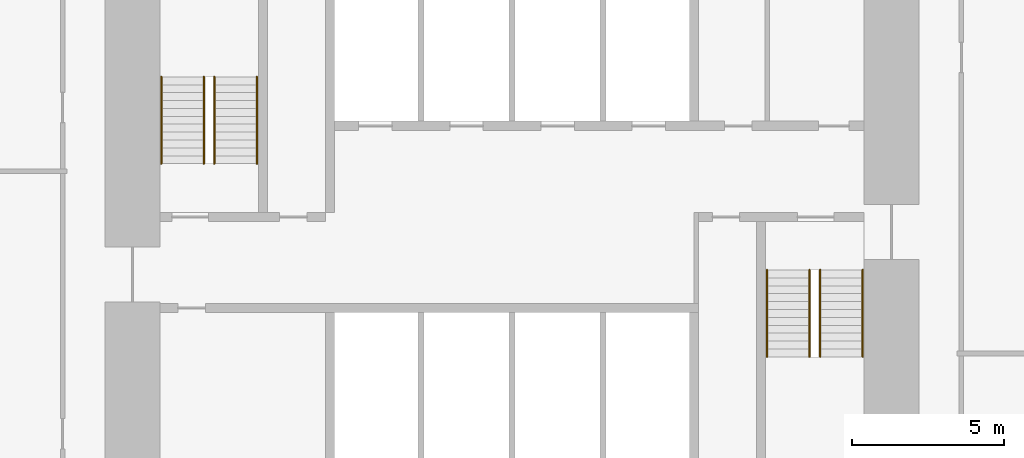
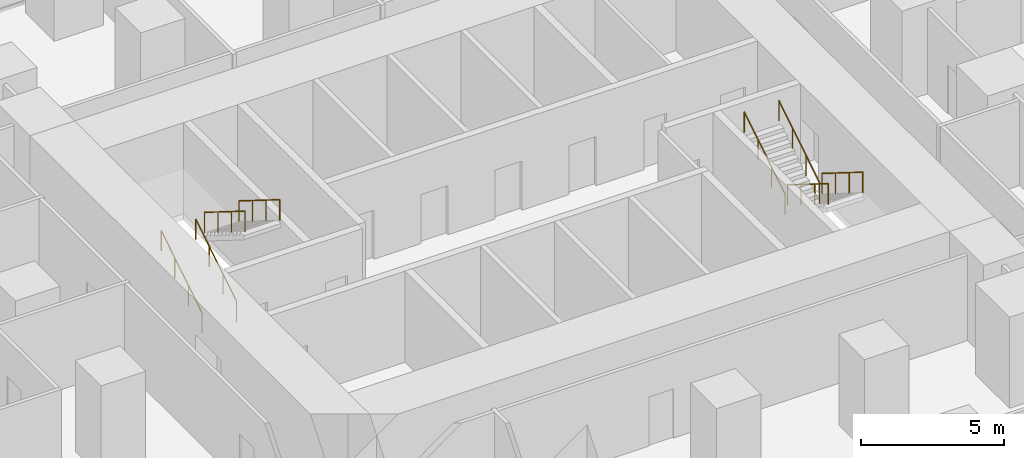
# One storey, part 12 of 12: 8 railings.
"""IFC4 building model written with IfcOpenShell, lengths in metres."""

from ifc_helpers import new_model, si_unit, direction, frame, origin, origin_2d, place, context, subcontext, project, spatial, circle, extrude, material, type_object, element, save


model = new_model("IFC4")

# Units and contexts
model_context = context("Model", 3, precision=1e-05, world=origin(), true_north=direction((0.0, 1.0)))
body_context = subcontext(model_context, "Body", "Model", "MODEL_VIEW")
ifc_project = project(units=[si_unit("LENGTHUNIT", "METRE"), si_unit("AREAUNIT", "SQUARE_METRE"), si_unit("VOLUMEUNIT", "CUBIC_METRE"), si_unit("PLANEANGLEUNIT", "RADIAN"), si_unit("MASSUNIT", "GRAM", prefix="KILO")], contexts=[model_context])

# Site, building, storey
site_placement = place(None, origin())
site = spatial("IfcSite", under=ifc_project, at=site_placement, CompositionType="ELEMENT")
building_placement = place(site_placement, origin())
building = spatial("IfcBuilding", under=site, at=building_placement, Name="Highveld Stack Headquarters", CompositionType="ELEMENT")
storey_placement = place(building_placement, frame((0.0, 0.0, 49.39990234375)))
storey = spatial("IfcBuildingStorey", under=building, at=storey_placement, Name="L11", CompositionType="ELEMENT", Elevation=49.39990234375)

# Railings
ifc_material = material(Name="Stainless steel handrail", Category="steel")
railing_type = type_object("IfcRailingType", Name="STAIR HANDRAIL HR1 900", PredefinedType="HANDRAIL", material=ifc_material)
for number, where, name in (
    (1, (-5.550048828125, 4.75, 0.16259765625), "Handrail S1 L11 flight 1"),
    (2, (-4.14990234375, 4.75, 0.16259765625), "Handrail S1 L11 flight 1"),
):
    element("IfcRailing", number, at=place(storey_placement, frame(where)), inside=storey, type_object=railing_type, Name=name, PredefinedType="HANDRAIL", context=body_context, shape_type="SweptSolid", body=[
        extrude(circle(Radius=0.02392578125, at=origin_2d()), frame((0.0, 0.0, 0.8759765625), z_axis=(0.0, 0.847994237388, 0.530005446535), x_axis=(-1.0, 0.0, 0.0)), (0.0, 0.0, 1.0), 3.372802734375),
        extrude(circle(Radius=0.02099609375, at=origin_2d()), origin(), (0.0, 0.0, 1.0), 0.851806640625),
        extrude(circle(Radius=0.02099609375, at=origin_2d()), frame((0.0, 0.953369140625, 0.595947265625)), (0.0, 0.0, 1.0), 0.851806640625),
        extrude(circle(Radius=0.02099609375, at=origin_2d()), frame((0.0, 1.90673828125, 1.191650390625)), (0.0, 0.0, 1.0), 0.851806640625),
        extrude(circle(Radius=0.02099609375, at=origin_2d()), frame((0.0, 2.860107421875, 1.78759765625)), (0.0, 0.0, 1.0), 0.851806640625),
    ])
for number, where, name in (
    (3, (-3.800048828125, 7.610107421875, 2.112548828125), "Handrail S1 L11 flight 2"),
    (4, (-2.39990234375, 7.610107421875, 2.112548828125), "Handrail S1 L11 flight 2"),
    (5, (16.14990234375, 1.25, 0.16259765625), "Handrail S2 L11 flight 1"),
    (6, (17.550048828125, 1.25, 0.16259765625), "Handrail S2 L11 flight 1"),
):
    element("IfcRailing", number, at=place(storey_placement, frame(where)), inside=storey, type_object=railing_type, Name=name, PredefinedType="HANDRAIL", context=body_context, shape_type="SweptSolid", body=[
        extrude(circle(Radius=0.02392578125, at=origin_2d()), frame((0.0, 0.0, 0.8759765625), z_axis=(0.0, -0.847994237388, 0.530005446535), x_axis=(1.0, 0.0, 0.0)), (0.0, 0.0, 1.0), 3.372802734375),
        extrude(circle(Radius=0.02099609375, at=origin_2d()), origin(), (0.0, 0.0, 1.0), 0.851806640625),
        extrude(circle(Radius=0.02099609375, at=origin_2d()), frame((0.0, -0.953369140625, 0.595947265625)), (0.0, 0.0, 1.0), 0.851806640625),
        extrude(circle(Radius=0.02099609375, at=origin_2d()), frame((0.0, -1.90673828125, 1.191650390625)), (0.0, 0.0, 1.0), 0.851806640625),
        extrude(circle(Radius=0.02099609375, at=origin_2d()), frame((0.0, -2.860107421875, 1.78759765625)), (0.0, 0.0, 1.0), 0.851806640625),
    ])
for number, where, name in (
    (7, (14.39990234375, -1.610107421875, 2.112548828125), "Handrail S2 L11 flight 2"),
    (8, (15.800048828125, -1.610107421875, 2.112548828125), "Handrail S2 L11 flight 2"),
):
    element("IfcRailing", number, at=place(storey_placement, frame(where)), inside=storey, type_object=railing_type, Name=name, PredefinedType="HANDRAIL", context=body_context, shape_type="SweptSolid", body=[
        extrude(circle(Radius=0.02392578125, at=origin_2d()), frame((0.0, 0.0, 0.8759765625), z_axis=(0.0, 0.847994237388, 0.530005446535), x_axis=(-1.0, 0.0, 0.0)), (0.0, 0.0, 1.0), 3.372802734375),
        extrude(circle(Radius=0.02099609375, at=origin_2d()), origin(), (0.0, 0.0, 1.0), 0.851806640625),
        extrude(circle(Radius=0.02099609375, at=origin_2d()), frame((0.0, 0.953369140625, 0.595947265625)), (0.0, 0.0, 1.0), 0.851806640625),
        extrude(circle(Radius=0.02099609375, at=origin_2d()), frame((0.0, 1.90673828125, 1.191650390625)), (0.0, 0.0, 1.0), 0.851806640625),
        extrude(circle(Radius=0.02099609375, at=origin_2d()), frame((0.0, 2.860107421875, 1.78759765625)), (0.0, 0.0, 1.0), 0.851806640625),
    ])

save(model, "model.ifc")
